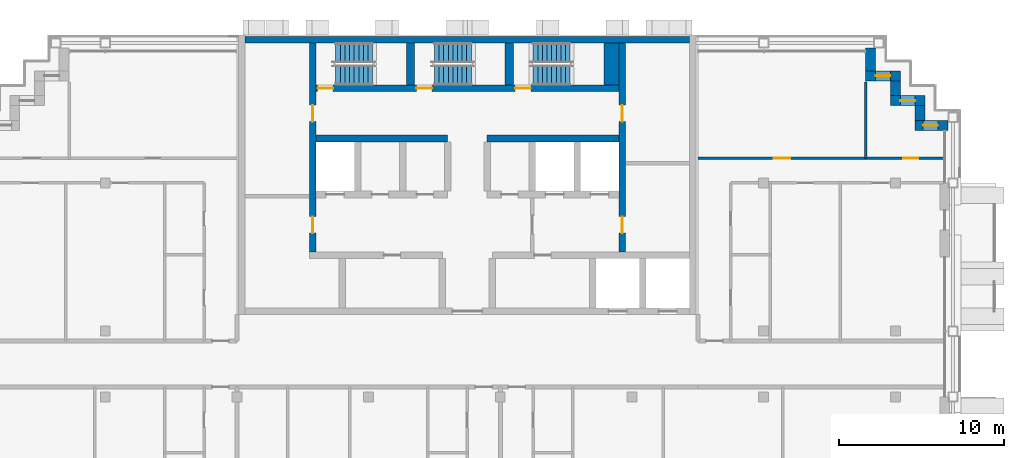
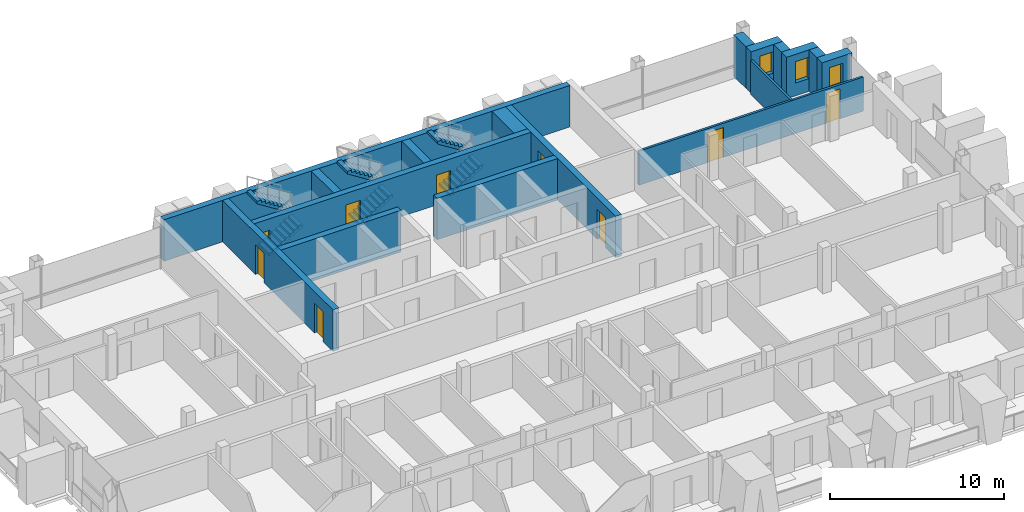
# One storey, part 11 of 15: 17 walls, 9 doors, 6 stair flights, 3 windows, 12 openings, 3 elements without a shape of their own.
"""IFC4 building model written with IfcOpenShell, lengths in metres."""

import ifcopenshell
import ifcopenshell.guid

model = None  # the IFC model being written
_history = None  # IfcOwnerHistory: only IFC2X3 demands one
_inside = {}  # id of a spatial element -> (the spatial element, [elements in it])
_under = {}  # id of a project, library or spatial element -> (it, [spatial elements below it])
_declared = {}  # id of a project -> (the project, [libraries it declares])
_typed = {}  # id of a type object -> (the type object, [elements of that type])
_made_of = {}  # id of a material, layer set ... -> (it, [elements and type objects made of it])


def new_model(schema):
    """Start an empty IFC model of exactly this schema.

    Asked for "IFC4X3", IfcOpenShell would pick the latest addendum, in which some entities
    have other attributes; the version numbers below select the first issue.
    IFC2X3 requires an IfcOwnerHistory on every rooted entity: one is made here for all.
    """
    global model, _history
    if schema == "IFC4X3":
        model = ifcopenshell.file(schema_version=(4, 3, 0, 0))
    else:
        model = ifcopenshell.file(schema=schema)
    _inside.clear()
    _under.clear()
    _declared.clear()
    _typed.clear()
    _made_of.clear()
    _history = None
    if model.schema == "IFC2X3":
        org = make("IfcOrganization", Name="unknown")
        user = make(
            "IfcPersonAndOrganization",
            ThePerson=make("IfcPerson", FamilyName="unknown"),
            TheOrganization=org,
        )
        app = make(
            "IfcApplication",
            ApplicationDeveloper=org,
            Version="unknown",
            ApplicationFullName="unknown",
            ApplicationIdentifier="unknown",
        )
        _history = make(
            "IfcOwnerHistory",
            OwningUser=user,
            OwningApplication=app,
            ChangeAction="ADDED",
            CreationDate=0,
        )
    return model


def make(cls, **values):
    """One entity of the class cls with the attributes given. An attribute that is None is left unset."""
    return model.create_entity(
        cls, **{name: value for name, value in values.items() if value is not None}
    )


def rooted(cls, **values):
    """An entity with a GlobalId (a new one), such as an element, a storey or a relation."""
    return make(cls, GlobalId=ifcopenshell.guid.new(), OwnerHistory=_history, **values)


def si_unit(unit_type, name, prefix=None):
    """IfcSIUnit, for example si_unit("LENGTHUNIT", "METRE", prefix="MILLI")."""
    return make("IfcSIUnit", UnitType=unit_type, Prefix=prefix, Name=name)


def assignment(units):
    """IfcUnitAssignment: the units of a project."""
    return None if units is None else make("IfcUnitAssignment", Units=units)


def point(xyz):
    """IfcCartesianPoint."""
    return None if xyz is None else make("IfcCartesianPoint", Coordinates=xyz)


def direction(xyz):
    """IfcDirection."""
    return None if xyz is None else make("IfcDirection", DirectionRatios=xyz)


def frame(location, z_axis=None, x_axis=None):
    """IfcAxis2Placement3D, a coordinate frame: its origin and axes. An axis left out is left unset."""
    return make(
        "IfcAxis2Placement3D",
        Location=point(location),
        Axis=direction(z_axis),
        RefDirection=direction(x_axis),
    )


def frame_2d(location, x_axis=None):
    """IfcAxis2Placement2D, a coordinate frame in the plane: its origin and x axis."""
    return make(
        "IfcAxis2Placement2D", Location=point(location), RefDirection=direction(x_axis)
    )


def origin():
    """The frame at (0, 0, 0) with its axes left unset."""
    return frame((0.0, 0.0, 0.0))


def place(relative_to, where):
    """IfcLocalPlacement: puts the frame where relative to a parent placement (None: the world)."""
    return make(
        "IfcLocalPlacement", PlacementRelTo=relative_to, RelativePlacement=where
    )


def context(
    kind, dimensions, precision=None, world=None, true_north=None, identifier=None
):
    """IfcGeometricRepresentationContext, for example the 3D "Model" context."""
    return make(
        "IfcGeometricRepresentationContext",
        ContextIdentifier=identifier,
        ContextType=kind,
        CoordinateSpaceDimension=dimensions,
        Precision=precision,
        WorldCoordinateSystem=world,
        TrueNorth=true_north,
    )


def subcontext(parent, identifier, kind, view, scale=None):
    """IfcGeometricRepresentationSubContext, for example "Body" below "Model"."""
    return make(
        "IfcGeometricRepresentationSubContext",
        ContextIdentifier=identifier,
        ContextType=kind,
        ParentContext=parent,
        TargetScale=scale,
        TargetView=view,
    )


def project(units=None, contexts=None):
    """IfcProject with its units and contexts."""
    return rooted(
        "IfcProject",
        Name="project",
        RepresentationContexts=contexts,
        UnitsInContext=assignment(units),
    )


def spatial(cls, under=None, at=None, **own):
    """A site, building, storey or space (cls), placed at a placement, below another one or the project."""
    s = rooted(cls, ObjectPlacement=at, **own)
    if under is not None:
        _under.setdefault(under.id(), (under, []))[1].append(s)
    return s


def polyline(points):
    """IfcPolyline through the points."""
    return make("IfcPolyline", Points=[point(p) for p in points])


def profile(cls, at=None, kind="AREA", **sizes):
    """A parametric profile (cls). Its sizes go by their IFC names, for example OverallWidth=200.0."""
    return make(cls, ProfileType=kind, Position=at, **sizes)


def rectangle(**sizes):
    """IfcRectangleProfileDef."""
    return profile("IfcRectangleProfileDef", **sizes)


def outline(outer, holes=None, kind="AREA"):
    """IfcArbitraryClosedProfileDef: a profile drawn as a closed curve; with holes, ...WithVoids."""
    if holes is None:
        return make("IfcArbitraryClosedProfileDef", ProfileType=kind, OuterCurve=outer)
    return make(
        "IfcArbitraryProfileDefWithVoids",
        ProfileType=kind,
        OuterCurve=outer,
        InnerCurves=holes,
    )


def extrude(swept, where, along, depth):
    """IfcExtrudedAreaSolid: the profile swept, set in the frame where, extruded along a direction by depth."""
    return make(
        "IfcExtrudedAreaSolid",
        SweptArea=swept,
        Position=where,
        ExtrudedDirection=direction(along),
        Depth=depth,
    )


def shape(context_of_items, identifier, shape_type, items):
    """IfcShapeRepresentation: the items that make up one representation, for example the "Body"."""
    return make(
        "IfcShapeRepresentation",
        ContextOfItems=context_of_items,
        RepresentationIdentifier=identifier,
        RepresentationType=shape_type,
        Items=items,
    )


def material(Name=None, Category=None):
    """IfcMaterial."""
    return make("IfcMaterial", Name=Name, Category=Category)


def layer(
    of_material, thickness, ventilated=None, Name=None, Category=None, Priority=None
):
    """IfcMaterialLayer: one layer of a wall or slab, of a material (None: an air gap)."""
    return make(
        "IfcMaterialLayer",
        Material=of_material,
        LayerThickness=thickness,
        IsVentilated=ventilated,
        Name=Name,
        Category=Category,
        Priority=Priority,
    )


def layer_set(layers, Name=None):
    """IfcMaterialLayerSet."""
    return make("IfcMaterialLayerSet", MaterialLayers=layers, LayerSetName=Name)


def made_of(thing, what):
    """Note that an element or type object is made of a material, layer set ...; save() writes the relation."""
    if what is not None:
        _made_of.setdefault(what.id(), (what, []))[1].append(thing)
    return thing


def type_object(cls, material=None, **own):
    """A type object (cls), such as IfcWallType, which elements share."""
    return made_of(rooted(cls, **own), material)


def element(
    cls,
    number,
    at=None,
    inside=None,
    cuts=None,
    type_object=None,
    material=None,
    context=None,
    identifier="Body",
    shape_type=None,
    held_by="IfcProductDefinitionShape",
    body=None,
    shapes=None,
    **own,
):
    """One element of the class cls, such as IfcWall. Its Tag is "e" and its number.

    at: its placement. inside: the storey or other place that contains it. cuts: it is an
    opening in that element (IfcRelVoidsElement). A single representation is given by context,
    identifier, shape_type and body (its items); several are given by shapes. held_by: the class
    of the entity that holds the representations. save() writes the other relations.
    """
    e = rooted(cls, Tag="e%d" % number, ObjectPlacement=at, **own)
    if body is not None:
        shapes = [shape(context, identifier, shape_type, body)]
    if shapes is not None:
        e.Representation = make(held_by, Representations=shapes)
    if inside is not None:
        _inside.setdefault(inside.id(), (inside, []))[1].append(e)
    if cuts is not None:
        rooted(
            "IfcRelVoidsElement", RelatingBuildingElement=cuts, RelatedOpeningElement=e
        )
    if type_object is not None:
        _typed.setdefault(type_object.id(), (type_object, []))[1].append(e)
    return made_of(e, material)


def fill(opening, filler):
    """IfcRelFillsElement: the door or window that sits in an opening."""
    return rooted(
        "IfcRelFillsElement",
        RelatingOpeningElement=opening,
        RelatedBuildingElement=filler,
    )


def aggregate(whole, parts):
    """IfcRelAggregates: a whole, such as a stair, and the parts it consists of."""
    return rooted("IfcRelAggregates", RelatingObject=whole, RelatedObjects=parts)


def save(model, path):
    """Write the relations noted so far, then the file.

    IfcRelAggregates (storeys below a building ...), IfcRelContainedInSpatialStructure (elements
    in a storey), IfcRelDefinesByType, IfcRelAssociatesMaterial and IfcRelDeclares: one each for
    every whole, place, type object, material and project.
    """
    for whole, parts in _under.values():
        aggregate(whole, parts)
    for where, things in _inside.values():
        rooted(
            "IfcRelContainedInSpatialStructure",
            RelatedElements=things,
            RelatingStructure=where,
        )
    for kind, things in _typed.values():
        rooted("IfcRelDefinesByType", RelatedObjects=things, RelatingType=kind)
    for what, things in _made_of.values():
        rooted("IfcRelAssociatesMaterial", RelatedObjects=things, RelatingMaterial=what)
    for by, libraries in _declared.values():
        rooted("IfcRelDeclares", RelatingContext=by, RelatedDefinitions=libraries)
    model.write(path)


model = new_model("IFC4")

# Units and contexts
model_context = context("Model", 3, precision=1e-05, world=origin(), true_north=direction((0.0, 1.0)))
body_context = subcontext(model_context, "Body", "Model", "MODEL_VIEW")
ifc_project = project(units=[si_unit("LENGTHUNIT", "METRE"), si_unit("AREAUNIT", "SQUARE_METRE"), si_unit("VOLUMEUNIT", "CUBIC_METRE"), si_unit("PLANEANGLEUNIT", "RADIAN"), si_unit("MASSUNIT", "GRAM", prefix="KILO")], contexts=[model_context])

# Site, building, storey
site_placement = place(None, origin())
site = spatial("IfcSite", under=ifc_project, at=site_placement, CompositionType="ELEMENT")
building_placement = place(site_placement, origin())
building = spatial("IfcBuilding", under=site, at=building_placement, Name="Vidyagriha Tower", CompositionType="ELEMENT")
storey_placement = place(building_placement, frame((0.0, 0.0, 233.199951171875)))
storey = spatial("IfcBuildingStorey", under=building, at=storey_placement, Name="L61", CompositionType="ELEMENT", Elevation=233.199951171875)

# Wall, opening, window
ifc_material_1 = material(Name="Precast concrete C40/50 with brick facing", Category="concrete")
ifc_layer_1 = layer(ifc_material_1, 0.60009765625)
ifc_layer_set_1 = layer_set([ifc_layer_1], Name="Precast concrete C40/50 with brick facing")
wall_type_1 = type_object("IfcWallType", Name="Brick-faced precast wall 600", PredefinedType="STANDARD", material=ifc_layer_set_1)
wall_1_placement = place(storey_placement, frame((29.199951171875, 14.5, 0.0), z_axis=(0.0, 0.0, 1.0), x_axis=(-1.0, 0.0, 0.0)))
wall_1 = element("IfcWall", 1, at=wall_1_placement, inside=storey, type_object=wall_type_1, Name="Stepped corner wall L61 R01", PredefinedType="STANDARD", context=body_context, shape_type="SweptSolid", body=[
    extrude(rectangle(XDim=2.0, YDim=0.60009765625, at=frame_2d((1.0, 0.0))), origin(), (0.0, 0.0, 1.0), 2.920166015625),
])
opening_1_placement = place(wall_1_placement, frame((0.610107421875, 0.0, 0.89990234375)))
opening_1 = element("IfcOpeningElement", 2, at=opening_1_placement, cuts=wall_1, Name="Opening WN1", PredefinedType="OPENING", context=body_context, shape_type="SweptSolid", body=[
    extrude(rectangle(XDim=0.89990234375, YDim=1.5, at=frame_2d((0.449951171875, 0.75))), frame((0.0, 0.31005859375, 0.0), z_axis=(0.0, -1.0, 0.0), x_axis=(1.0, 0.0, 0.0)), (0.0, 0.0, 1.0), 0.6201171875),
])
ifc_material_2 = material(Name="Aluminium and glass window", Category="aluminium")
window_type = type_object("IfcWindowType", Name="Reveal window 900x1500", PartitioningType="NOTDEFINED", PredefinedType="WINDOW", material=ifc_material_2)
window_1_placement = place(opening_1_placement, origin())
window_1 = element("IfcWindow", 3, at=window_1_placement, inside=storey, type_object=window_type, Name="Reveal window L61 R01", OverallHeight=1.5, OverallWidth=0.89990234375, PartitioningType="SINGLE_PANEL", PredefinedType="WINDOW", context=body_context, shape_type="SweptSolid", body=[
    extrude(rectangle(XDim=0.89990234375, YDim=1.5, at=frame_2d((0.449951171875, 0.75))), frame((0.0, 0.030029296875, 0.0), z_axis=(0.0, -1.0, 0.0), x_axis=(1.0, 0.0, 0.0)), (0.0, 0.0, 1.0), 0.06005859375),
])
fill(opening_1, window_1)

# Wall
wall_2_placement = place(storey_placement, frame((27.5, 14.800048828125, 0.0), z_axis=(0.0, 0.0, 1.0), x_axis=(0.0, 1.0, 0.0)))
element("IfcWall", 4, at=wall_2_placement, inside=storey, type_object=wall_type_1, Name="Stepped corner wall L61 R02", PredefinedType="STANDARD", context=body_context, shape_type="SweptSolid", body=[
    extrude(rectangle(XDim=0.89990234375, YDim=0.60009765625, at=frame_2d((0.449951171875, 0.0))), origin(), (0.0, 0.0, 1.0), 2.920166015625),
])

# Wall, opening, window
wall_3_placement = place(storey_placement, frame((27.800048828125, 16.0, 0.0), z_axis=(0.0, 0.0, 1.0), x_axis=(-1.0, 0.0, 0.0)))
wall_3 = element("IfcWall", 5, at=wall_3_placement, inside=storey, type_object=wall_type_1, Name="Stepped corner wall L61 R03", PredefinedType="STANDARD", context=body_context, shape_type="SweptSolid", body=[
    extrude(rectangle(XDim=2.10009765625, YDim=0.60009765625, at=frame_2d((1.050048828125, 0.0))), origin(), (0.0, 0.0, 1.0), 2.920166015625),
])
opening_2_placement = place(wall_3_placement, frame((0.60009765625, 0.0, 0.89990234375)))
opening_2 = element("IfcOpeningElement", 6, at=opening_2_placement, cuts=wall_3, Name="Opening WN1", PredefinedType="OPENING", context=body_context, shape_type="SweptSolid", body=[
    extrude(rectangle(XDim=0.89990234375, YDim=1.5, at=frame_2d((0.449951171875, 0.75))), frame((0.0, 0.31005859375, 0.0), z_axis=(0.0, -1.0, 0.0), x_axis=(1.0, 0.0, 0.0)), (0.0, 0.0, 1.0), 0.6201171875),
])
window_2_placement = place(opening_2_placement, origin())
window_2 = element("IfcWindow", 7, at=window_2_placement, inside=storey, type_object=window_type, Name="Reveal window L61 R03", OverallHeight=1.5, OverallWidth=0.89990234375, PartitioningType="SINGLE_PANEL", PredefinedType="WINDOW", context=body_context, shape_type="SweptSolid", body=[
    extrude(rectangle(XDim=0.89990234375, YDim=1.5, at=frame_2d((0.449951171875, 0.75))), frame((0.0, 0.030029296875, 0.0), z_axis=(0.0, -1.0, 0.0), x_axis=(1.0, 0.0, 0.0)), (0.0, 0.0, 1.0), 0.06005859375),
])
fill(opening_2, window_2)

# Wall
wall_4_placement = place(storey_placement, frame((26.0, 16.300048828125, 0.0), z_axis=(0.0, 0.0, 1.0), x_axis=(0.0, 1.0, 0.0)))
element("IfcWall", 8, at=wall_4_placement, inside=storey, type_object=wall_type_1, Name="Stepped corner wall L61 R04", PredefinedType="STANDARD", context=body_context, shape_type="SweptSolid", body=[
    extrude(rectangle(XDim=0.89990234375, YDim=0.60009765625, at=frame_2d((0.449951171875, 0.0))), origin(), (0.0, 0.0, 1.0), 2.920166015625),
])

# Wall, opening, window
wall_5_placement = place(storey_placement, frame((26.300048828125, 17.5, 0.0), z_axis=(0.0, 0.0, 1.0), x_axis=(-1.0, 0.0, 0.0)))
wall_5 = element("IfcWall", 9, at=wall_5_placement, inside=storey, type_object=wall_type_1, Name="Stepped corner wall L61 R05", PredefinedType="STANDARD", context=body_context, shape_type="SweptSolid", body=[
    extrude(rectangle(XDim=2.10009765625, YDim=0.60009765625, at=frame_2d((1.050048828125, 0.0))), origin(), (0.0, 0.0, 1.0), 2.920166015625),
])
opening_3_placement = place(wall_5_placement, frame((0.60009765625, 0.0, 0.89990234375)))
opening_3 = element("IfcOpeningElement", 10, at=opening_3_placement, cuts=wall_5, Name="Opening WN1", PredefinedType="OPENING", context=body_context, shape_type="SweptSolid", body=[
    extrude(rectangle(XDim=0.89990234375, YDim=1.5, at=frame_2d((0.449951171875, 0.75))), frame((0.0, 0.31005859375, 0.0), z_axis=(0.0, -1.0, 0.0), x_axis=(1.0, 0.0, 0.0)), (0.0, 0.0, 1.0), 0.6201171875),
])
window_3_placement = place(opening_3_placement, origin())
window_3 = element("IfcWindow", 11, at=window_3_placement, inside=storey, type_object=window_type, Name="Reveal window L61 R05", OverallHeight=1.5, OverallWidth=0.89990234375, PartitioningType="SINGLE_PANEL", PredefinedType="WINDOW", context=body_context, shape_type="SweptSolid", body=[
    extrude(rectangle(XDim=0.89990234375, YDim=1.5, at=frame_2d((0.449951171875, 0.75))), frame((0.0, 0.030029296875, 0.0), z_axis=(0.0, -1.0, 0.0), x_axis=(1.0, 0.0, 0.0)), (0.0, 0.0, 1.0), 0.06005859375),
])
fill(opening_3, window_3)

# Walls
wall_6_placement = place(storey_placement, frame((24.5, 17.800048828125, 0.0), z_axis=(0.0, 0.0, 1.0), x_axis=(0.0, 1.0, 0.0)))
element("IfcWall", 12, at=wall_6_placement, inside=storey, type_object=wall_type_1, Name="Stepped corner wall L61 R06", PredefinedType="STANDARD", context=body_context, shape_type="SweptSolid", body=[
    extrude(rectangle(XDim=1.39990234375, YDim=0.60009765625, at=frame_2d((0.699951171875, 0.0))), origin(), (0.0, 0.0, 1.0), 2.920166015625),
])
ifc_material_3 = material(Name="Concrete C60/75", Category="concrete")
ifc_layer_2 = layer(ifc_material_3, 0.39990234375)
ifc_layer_set_2 = layer_set([ifc_layer_2], Name="Concrete C60/75")
wall_type_2 = type_object("IfcWallType", Name="Core shear wall 400 mm", PredefinedType="SHEAR", material=ifc_layer_set_2)
wall_7_placement = place(storey_placement, frame((-13.5, 19.699951171875, 0.0)))
element("IfcWall", 13, at=wall_7_placement, inside=storey, type_object=wall_type_2, Name="Core north wall", PredefinedType="SHEAR", context=body_context, shape_type="SweptSolid", body=[
    extrude(rectangle(XDim=27.0, YDim=0.39990234375, at=frame_2d((13.5, 0.0))), origin(), (0.0, 0.0, 1.0), 2.920166015625),
])

# Wall, openings, doors
wall_8_placement = place(storey_placement, frame((-9.39990234375, 6.800048828125, 0.0), z_axis=(0.0, 0.0, 1.0), x_axis=(0.0, 1.0, 0.0)))
wall_8 = element("IfcWall", 14, at=wall_8_placement, inside=storey, type_object=wall_type_2, Name="Core west spine wall", PredefinedType="SHEAR", context=body_context, shape_type="SweptSolid", body=[
    extrude(rectangle(XDim=12.699951171875, YDim=0.39990234375, at=frame_2d((6.35009765625, 0.0))), origin(), (0.0, 0.0, 1.0), 2.920166015625),
])
opening_4_placement = place(wall_8_placement, frame((1.14990234375, 0.0, 0.0)))
opening_4 = element("IfcOpeningElement", 15, at=opening_4_placement, cuts=wall_8, Name="Opening D61-11", PredefinedType="OPENING", context=body_context, shape_type="SweptSolid", body=[
    extrude(rectangle(XDim=1.0, YDim=2.10009765625, at=frame_2d((0.5, 1.050048828125))), frame((0.0, 0.2099609375, 0.0), z_axis=(0.0, -1.0, 0.0), x_axis=(1.0, 0.0, 0.0)), (0.0, 0.0, 1.0), 0.419921875),
])
opening_5_placement = place(wall_8_placement, frame((7.925048828125, 0.0, 0.0)))
opening_5 = element("IfcOpeningElement", 16, at=opening_5_placement, cuts=wall_8, Name="Opening D61-12", PredefinedType="OPENING", context=body_context, shape_type="SweptSolid", body=[
    extrude(rectangle(XDim=1.0, YDim=2.10009765625, at=frame_2d((0.5, 1.050048828125))), frame((0.0, 0.2099609375, 0.0), z_axis=(0.0, -1.0, 0.0), x_axis=(1.0, 0.0, 0.0)), (0.0, 0.0, 1.0), 0.419921875),
])
ifc_material_4 = material(Name="Hollow metal door leaf")
door_type_1 = type_object("IfcDoorType", Name="Core room door 1000 x 2100 mm EI 60", OperationType="NOTDEFINED", PredefinedType="DOOR", material=ifc_material_4)
door_1_placement = place(opening_4_placement, frame((1.0, 0.0, 0.0), z_axis=(0.0, 0.0, 1.0), x_axis=(-1.0, 0.0, 0.0)))
door_1 = element("IfcDoor", 17, at=door_1_placement, inside=storey, type_object=door_type_1, Name="Door Electrical Room 61.W1", OperationType="SINGLE_SWING_RIGHT", OverallHeight=2.10009765625, OverallWidth=1.0, PredefinedType="DOOR", context=body_context, shape_type="SweptSolid", body=[
    extrude(rectangle(XDim=1.0, YDim=2.10009765625, at=frame_2d((0.5, 1.050048828125))), frame((0.0, 0.02490234375, 0.0), z_axis=(0.0, -1.0, 0.0), x_axis=(1.0, 0.0, 0.0)), (0.0, 0.0, 1.0), 0.050048828125),
])
fill(opening_4, door_1)
door_2_placement = place(opening_5_placement, frame((1.0, 0.0, 0.0), z_axis=(0.0, 0.0, 1.0), x_axis=(-1.0, 0.0, 0.0)))
door_2 = element("IfcDoor", 18, at=door_2_placement, inside=storey, type_object=door_type_1, Name="Door Refuse Room 61.W2", OperationType="SINGLE_SWING_LEFT", OverallHeight=2.10009765625, OverallWidth=1.0, PredefinedType="DOOR", context=body_context, shape_type="SweptSolid", body=[
    extrude(rectangle(XDim=1.0, YDim=2.10009765625, at=frame_2d((0.5, 1.050048828125))), frame((0.0, 0.02490234375, 0.0), z_axis=(0.0, -1.0, 0.0), x_axis=(1.0, 0.0, 0.0)), (0.0, 0.0, 1.0), 0.050048828125),
])
fill(opening_5, door_2)

wall_9_placement = place(storey_placement, frame((9.39990234375, 6.800048828125, 0.0), z_axis=(0.0, 0.0, 1.0), x_axis=(0.0, 1.0, 0.0)))
wall_9 = element("IfcWall", 19, at=wall_9_placement, inside=storey, type_object=wall_type_2, Name="Core east spine wall", PredefinedType="SHEAR", context=body_context, shape_type="SweptSolid", body=[
    extrude(rectangle(XDim=12.699951171875, YDim=0.39990234375, at=frame_2d((6.35009765625, 0.0))), origin(), (0.0, 0.0, 1.0), 2.920166015625),
])
opening_6_placement = place(wall_9_placement, frame((1.14990234375, 0.0, 0.0)))
opening_6 = element("IfcOpeningElement", 20, at=opening_6_placement, cuts=wall_9, Name="Opening D61-13", PredefinedType="OPENING", context=body_context, shape_type="SweptSolid", body=[
    extrude(rectangle(XDim=1.0, YDim=2.10009765625, at=frame_2d((0.5, 1.050048828125))), frame((0.0, 0.2099609375, 0.0), z_axis=(0.0, -1.0, 0.0), x_axis=(1.0, 0.0, 0.0)), (0.0, 0.0, 1.0), 0.419921875),
])
opening_7_placement = place(wall_9_placement, frame((7.925048828125, 0.0, 0.0)))
opening_7 = element("IfcOpeningElement", 21, at=opening_7_placement, cuts=wall_9, Name="Opening D61-14", PredefinedType="OPENING", context=body_context, shape_type="SweptSolid", body=[
    extrude(rectangle(XDim=1.0, YDim=2.10009765625, at=frame_2d((0.5, 1.050048828125))), frame((0.0, 0.2099609375, 0.0), z_axis=(0.0, -1.0, 0.0), x_axis=(1.0, 0.0, 0.0)), (0.0, 0.0, 1.0), 0.419921875),
])
door_3_placement = place(opening_6_placement, origin())
door_3 = element("IfcDoor", 22, at=door_3_placement, inside=storey, type_object=door_type_1, Name="Door Cleaners Store 61.E1", OperationType="SINGLE_SWING_RIGHT", OverallHeight=2.10009765625, OverallWidth=1.0, PredefinedType="DOOR", context=body_context, shape_type="SweptSolid", body=[
    extrude(rectangle(XDim=1.0, YDim=2.10009765625, at=frame_2d((0.5, 1.050048828125))), frame((0.0, 0.02490234375, 0.0), z_axis=(0.0, -1.0, 0.0), x_axis=(1.0, 0.0, 0.0)), (0.0, 0.0, 1.0), 0.050048828125),
])
fill(opening_6, door_3)
door_4_placement = place(opening_7_placement, origin())
door_4 = element("IfcDoor", 23, at=door_4_placement, inside=storey, type_object=door_type_1, Name="Door Pressurisation Plant Room 61.E2", OperationType="SINGLE_SWING_LEFT", OverallHeight=2.10009765625, OverallWidth=1.0, PredefinedType="DOOR", context=body_context, shape_type="SweptSolid", body=[
    extrude(rectangle(XDim=1.0, YDim=2.10009765625, at=frame_2d((0.5, 1.050048828125))), frame((0.0, 0.02490234375, 0.0), z_axis=(0.0, -1.0, 0.0), x_axis=(1.0, 0.0, 0.0)), (0.0, 0.0, 1.0), 0.050048828125),
])
fill(opening_7, door_4)

# Walls
for number, where, name in (
    (24, (-9.199951171875, 13.699951171875, 0.0), "Core row N rear wall"),
    (25, (1.199951171875, 13.699951171875, 0.0), "Core row N rear wall"),
):
    element("IfcWall", number, at=place(storey_placement, frame(where)), inside=storey, type_object=wall_type_2, Name=name, PredefinedType="SHEAR", context=body_context, shape_type="SweptSolid", body=[
        extrude(rectangle(XDim=8.0, YDim=0.39990234375, at=frame_2d((4.0, 0.0))), origin(), (0.0, 0.0, 1.0), 2.920166015625),
    ])

# Wall, openings, doors
wall_10_placement = place(storey_placement, frame((-9.199951171875, 16.75, 0.0)))
wall_10 = element("IfcWall", 26, at=wall_10_placement, inside=storey, type_object=wall_type_2, Name="Stair front wall", PredefinedType="SHEAR", context=body_context, shape_type="SweptSolid", body=[
    extrude(rectangle(XDim=18.39990234375, YDim=0.39990234375, at=frame_2d((9.199951171875, 0.0))), origin(), (0.0, 0.0, 1.0), 2.920166015625),
])
opening_8_placement = place(wall_10_placement, frame((0.10009765625, 0.0, 0.0)))
opening_8 = element("IfcOpeningElement", 27, at=opening_8_placement, cuts=wall_10, Name="Opening D61-08", PredefinedType="OPENING", context=body_context, shape_type="SweptSolid", body=[
    extrude(rectangle(XDim=0.949951171875, YDim=2.10009765625, at=frame_2d((0.47509765625, 1.050048828125))), frame((0.0, 0.2099609375, 0.0), z_axis=(0.0, -1.0, 0.0), x_axis=(1.0, 0.0, 0.0)), (0.0, 0.0, 1.0), 0.419921875),
])
opening_9_placement = place(wall_10_placement, frame((6.10009765625, 0.0, 0.0)))
opening_9 = element("IfcOpeningElement", 28, at=opening_9_placement, cuts=wall_10, Name="Opening D61-09", PredefinedType="OPENING", context=body_context, shape_type="SweptSolid", body=[
    extrude(rectangle(XDim=0.949951171875, YDim=2.10009765625, at=frame_2d((0.47509765625, 1.050048828125))), frame((0.0, 0.2099609375, 0.0), z_axis=(0.0, -1.0, 0.0), x_axis=(1.0, 0.0, 0.0)), (0.0, 0.0, 1.0), 0.419921875),
])
opening_10_placement = place(wall_10_placement, frame((12.10009765625, 0.0, 0.0)))
opening_10 = element("IfcOpeningElement", 29, at=opening_10_placement, cuts=wall_10, Name="Opening D61-10", PredefinedType="OPENING", context=body_context, shape_type="SweptSolid", body=[
    extrude(rectangle(XDim=0.949951171875, YDim=2.10009765625, at=frame_2d((0.47509765625, 1.050048828125))), frame((0.0, 0.2099609375, 0.0), z_axis=(0.0, -1.0, 0.0), x_axis=(1.0, 0.0, 0.0)), (0.0, 0.0, 1.0), 0.419921875),
])
ifc_material_5 = material(Name="Hollow metal door leaf")
door_type_2 = type_object("IfcDoorType", Name="Exit stair door 950 x 2100 mm EI 90", OperationType="NOTDEFINED", PredefinedType="DOOR", material=ifc_material_5)
door_5_placement = place(opening_8_placement, origin())
door_5 = element("IfcDoor", 30, at=door_5_placement, inside=storey, type_object=door_type_2, Name="Stair door ST1 L61", OperationType="SINGLE_SWING_LEFT", OverallHeight=2.10009765625, OverallWidth=0.949951171875, PredefinedType="DOOR", context=body_context, shape_type="SweptSolid", body=[
    extrude(rectangle(XDim=0.949951171875, YDim=2.10009765625, at=frame_2d((0.47509765625, 1.050048828125))), frame((0.0, 0.02490234375, 0.0), z_axis=(0.0, -1.0, 0.0), x_axis=(1.0, 0.0, 0.0)), (0.0, 0.0, 1.0), 0.050048828125),
])
fill(opening_8, door_5)
door_6_placement = place(opening_9_placement, origin())
door_6 = element("IfcDoor", 31, at=door_6_placement, inside=storey, type_object=door_type_2, Name="Stair door ST2 L61", OperationType="SINGLE_SWING_LEFT", OverallHeight=2.10009765625, OverallWidth=0.949951171875, PredefinedType="DOOR", context=body_context, shape_type="SweptSolid", body=[
    extrude(rectangle(XDim=0.949951171875, YDim=2.10009765625, at=frame_2d((0.47509765625, 1.050048828125))), frame((0.0, 0.02490234375, 0.0), z_axis=(0.0, -1.0, 0.0), x_axis=(1.0, 0.0, 0.0)), (0.0, 0.0, 1.0), 0.050048828125),
])
fill(opening_9, door_6)
door_7_placement = place(opening_10_placement, origin())
door_7 = element("IfcDoor", 32, at=door_7_placement, inside=storey, type_object=door_type_2, Name="Stair door ST3 L61", OperationType="SINGLE_SWING_LEFT", OverallHeight=2.10009765625, OverallWidth=0.949951171875, PredefinedType="DOOR", context=body_context, shape_type="SweptSolid", body=[
    extrude(rectangle(XDim=0.949951171875, YDim=2.10009765625, at=frame_2d((0.47509765625, 1.050048828125))), frame((0.0, 0.02490234375, 0.0), z_axis=(0.0, -1.0, 0.0), x_axis=(1.0, 0.0, 0.0)), (0.0, 0.0, 1.0), 0.050048828125),
])
fill(opening_10, door_7)

# Walls
ifc_material_6 = material(Name="Concrete C60/75", Category="concrete")
ifc_layer_3 = layer(ifc_material_6, 0.5)
ifc_layer_set_3 = layer_set([ifc_layer_3], Name="Concrete C60/75")
wall_type_3 = type_object("IfcWallType", Name="Core shear wall 500 mm", PredefinedType="SHEAR", material=ifc_layer_set_3)
for number, where, z_axis, x_axis, name in (
    (33, (-3.449951171875, 16.949951171875, 0.0), (0.0, 0.0, 1.0), (0.0, 1.0, 0.0), "Stair partition wall 1"),
    (34, (2.550048828125, 16.949951171875, 0.0), (0.0, 0.0, 1.0), (0.0, 1.0, 0.0), "Stair partition wall 2"),
):
    element("IfcWall", number, at=place(storey_placement, frame(where, z_axis=z_axis, x_axis=x_axis)), inside=storey, type_object=wall_type_3, Name=name, PredefinedType="SHEAR", context=body_context, shape_type="SweptSolid", body=[
        extrude(rectangle(XDim=2.550048828125, YDim=0.5, at=frame_2d((1.27490234375, 0.0))), origin(), (0.0, 0.0, 1.0), 2.920166015625),
    ])
ifc_material_7 = material(Name="Concrete C60/75", Category="concrete")
ifc_layer_4 = layer(ifc_material_7, 0.89990234375)
ifc_layer_set_4 = layer_set([ifc_layer_4], Name="Concrete C60/75")
wall_type_4 = type_object("IfcWallType", Name="Core shear wall 900 mm", PredefinedType="SHEAR", material=ifc_layer_set_4)
wall_11_placement = place(storey_placement, frame((8.75, 16.949951171875, 0.0), z_axis=(0.0, 0.0, 1.0), x_axis=(0.0, 1.0, 0.0)))
element("IfcWall", 35, at=wall_11_placement, inside=storey, type_object=wall_type_4, Name="Stair end wall", PredefinedType="SHEAR", context=body_context, shape_type="SweptSolid", body=[
    extrude(rectangle(XDim=2.550048828125, YDim=0.89990234375, at=frame_2d((1.27490234375, 0.0))), origin(), (0.0, 0.0, 1.0), 2.920166015625),
])

# Wall, openings, doors
ifc_material_8 = material(Name="Gypsum board partition")
ifc_layer_5 = layer(ifc_material_8, 0.14990234375)
ifc_layer_set_5 = layer_set([ifc_layer_5], Name="Gypsum board partition")
wall_type_5 = type_object("IfcWallType", Name="Gypsum board partition 150", PredefinedType="PARTITIONING", material=ifc_layer_set_5)
wall_12_placement = place(storey_placement, frame((14.0, 12.5, 0.0)))
wall_12 = element("IfcWall", 36, at=wall_12_placement, inside=storey, type_object=wall_type_5, Name="Wall all-L61-w085", PredefinedType="PARTITIONING", context=body_context, shape_type="SweptSolid", body=[
    extrude(rectangle(XDim=14.919921875, YDim=0.14990234375, at=frame_2d((7.4599609375, 0.0))), origin(), (0.0, 0.0, 1.0), 2.400146484375),
])
opening_11_placement = place(wall_12_placement, frame((4.60009765625, 0.0, 0.0)))
opening_11 = element("IfcOpeningElement", 37, at=opening_11_placement, cuts=wall_12, Name="Opening D61-54", PredefinedType="OPENING", context=body_context, shape_type="SweptSolid", body=[
    extrude(rectangle(XDim=1.0, YDim=2.10009765625, at=frame_2d((0.5, 1.050048828125))), frame((0.0, 0.0849609375, 0.0), z_axis=(0.0, -1.0, 0.0), x_axis=(1.0, 0.0, 0.0)), (0.0, 0.0, 1.0), 0.169921875),
])
opening_12_placement = place(wall_12_placement, frame((12.47607421875, 0.0, 0.0)))
opening_12 = element("IfcOpeningElement", 38, at=opening_12_placement, cuts=wall_12, Name="Opening D61-55", PredefinedType="OPENING", context=body_context, shape_type="SweptSolid", body=[
    extrude(rectangle(XDim=0.89990234375, YDim=2.10009765625, at=frame_2d((0.449951171875, 1.050048828125))), frame((0.0, 0.0849609375, 0.0), z_axis=(0.0, -1.0, 0.0), x_axis=(1.0, 0.0, 0.0)), (0.0, 0.0, 1.0), 0.169921875),
])
ifc_material_9 = material(Name="Timber door leaf", Category="wood")
door_type_3 = type_object("IfcDoorType", Name="Room door 1000x2100", OperationType="NOTDEFINED", PredefinedType="DOOR", material=ifc_material_9)
door_8_placement = place(opening_11_placement, origin())
door_8 = element("IfcDoor", 39, at=door_8_placement, inside=storey, type_object=door_type_3, Name="Door D61-54", OperationType="SINGLE_SWING_RIGHT", OverallHeight=2.10009765625, OverallWidth=1.0, PredefinedType="DOOR", context=body_context, shape_type="SweptSolid", body=[
    extrude(rectangle(XDim=1.0, YDim=2.10009765625, at=frame_2d((0.5, 1.050048828125))), frame((0.0, 0.02490234375, 0.0), z_axis=(0.0, -1.0, 0.0), x_axis=(1.0, 0.0, 0.0)), (0.0, 0.0, 1.0), 0.050048828125),
])
fill(opening_11, door_8)
ifc_material_10 = material(Name="Timber door leaf", Category="wood")
door_type_4 = type_object("IfcDoorType", Name="Room door 900x2100", OperationType="NOTDEFINED", PredefinedType="DOOR", material=ifc_material_10)
door_9_placement = place(opening_12_placement, origin())
door_9 = element("IfcDoor", 40, at=door_9_placement, inside=storey, type_object=door_type_4, Name="Door D61-55", OperationType="SINGLE_SWING_RIGHT", OverallHeight=2.10009765625, OverallWidth=0.89990234375, PredefinedType="DOOR", context=body_context, shape_type="SweptSolid", body=[
    extrude(rectangle(XDim=0.89990234375, YDim=2.10009765625, at=frame_2d((0.449951171875, 1.050048828125))), frame((0.0, 0.02490234375, 0.0), z_axis=(0.0, -1.0, 0.0), x_axis=(1.0, 0.0, 0.0)), (0.0, 0.0, 1.0), 0.050048828125),
])
fill(opening_12, door_9)

# Wall
wall_13_placement = place(storey_placement, frame((24.199951171875, 17.1201171875, 0.0), z_axis=(0.0, 0.0, 1.0), x_axis=(0.0, -1.0, 0.0)))
element("IfcWall", 41, at=wall_13_placement, inside=storey, type_object=wall_type_5, Name="Wall all-L61-w088", PredefinedType="PARTITIONING", context=body_context, shape_type="SweptSolid", body=[
    extrude(rectangle(XDim=4.6201171875, YDim=0.14990234375, at=frame_2d((2.31005859375, 0.0))), origin(), (0.0, 0.0, 1.0), 2.400146484375),
])

# Stair, stair flights
ifc_material_11 = material(Name="Concrete C40/50", Category="concrete")
stair_type = type_object("IfcStairType", Name="Exit stair, half-turn, precast flights", PredefinedType="HALF_TURN_STAIR", material=ifc_material_11)
stair_1_placement = place(storey_placement, origin())
stair_1 = element("IfcStair", 42, at=stair_1_placement, inside=storey, type_object=stair_type, Name="L61 Exit Stair ST1", PredefinedType="HALF_TURN_STAIR")
ifc_material_12 = material(Name="Precast concrete C40/50", Category="concrete")
stair_flight_type = type_object("IfcStairFlightType", Name="Exit stair flight 1200 mm, precast", PredefinedType="STRAIGHT", material=ifc_material_12)
stair_flight_1_placement = place(storey_placement, frame((-8.0, 17.550048828125, 0.0)))
stair_flight_1 = element("IfcStairFlight", 43, at=stair_flight_1_placement, type_object=stair_flight_type, Name="ST1 flight 1", NumberOfRisers=9, NumberOfTreads=8, PredefinedType="STRAIGHT", RiserHeight=0.177777778, TreadLength=0.28, context=body_context, shape_type="SweptSolid", body=[
    extrude(outline(polyline([(0.0, 0.0), (0.0, 0.177734375), (0.280029296875, 0.177734375), (0.280029296875, 0.35546875), (0.56005859375, 0.35546875), (0.56005859375, 0.533447265625), (0.840087890625, 0.533447265625), (0.840087890625, 0.711181640625), (1.1201171875, 0.711181640625), (1.1201171875, 0.888916015625), (1.39990234375, 0.888916015625), (1.39990234375, 1.066650390625), (1.679931640625, 1.066650390625), (1.679931640625, 1.244384765625), (1.9599609375, 1.244384765625), (1.9599609375, 1.422119140625), (2.239990234375, 1.422119140625), (2.239990234375, 1.60009765625), (2.239990234375, 1.24462890625), (0.27978515625, 0.0), (0.0, 0.0)])), frame((0.0, 0.60009765625, 0.0), z_axis=(0.0, -1.0, 0.0), x_axis=(1.0, 0.0, 0.0)), (0.0, 0.0, 1.0), 1.199951171875),
])
stair_flight_2_placement = place(storey_placement, frame((-5.760009765625, 18.89990234375, 1.60009765625), z_axis=(0.0, 0.0, 1.0), x_axis=(-1.0, 0.0, 0.0)))
stair_flight_2 = element("IfcStairFlight", 44, at=stair_flight_2_placement, type_object=stair_flight_type, Name="ST1 flight 2", NumberOfRisers=9, NumberOfTreads=8, PredefinedType="STRAIGHT", RiserHeight=0.177777778, TreadLength=0.28, context=body_context, shape_type="SweptSolid", body=[
    extrude(outline(polyline([(0.0, 0.0), (0.0, 0.177734375), (0.280029296875, 0.177734375), (0.280029296875, 0.35546875), (0.56005859375, 0.35546875), (0.56005859375, 0.533447265625), (0.840087890625, 0.533447265625), (0.840087890625, 0.711181640625), (1.1201171875, 0.711181640625), (1.1201171875, 0.888916015625), (1.39990234375, 0.888916015625), (1.39990234375, 1.066650390625), (1.679931640625, 1.066650390625), (1.679931640625, 1.244384765625), (1.9599609375, 1.244384765625), (1.9599609375, 1.422119140625), (2.239990234375, 1.422119140625), (2.239990234375, 1.60009765625), (2.239990234375, 1.24462890625), (0.27978515625, 0.0), (0.0, 0.0)])), frame((0.0, 0.60009765625, 0.0), z_axis=(0.0, -1.0, 0.0), x_axis=(1.0, 0.0, 0.0)), (0.0, 0.0, 1.0), 1.199951171875),
])
aggregate(stair_1, [stair_flight_1, stair_flight_2])

stair_2_placement = place(storey_placement, origin())
stair_2 = element("IfcStair", 45, at=stair_2_placement, inside=storey, type_object=stair_type, Name="L61 Exit Stair ST2", PredefinedType="HALF_TURN_STAIR")
stair_flight_3_placement = place(storey_placement, frame((-2.0, 17.550048828125, 0.0)))
stair_flight_3 = element("IfcStairFlight", 46, at=stair_flight_3_placement, type_object=stair_flight_type, Name="ST2 flight 1", NumberOfRisers=9, NumberOfTreads=8, PredefinedType="STRAIGHT", RiserHeight=0.177777778, TreadLength=0.28, context=body_context, shape_type="SweptSolid", body=[
    extrude(outline(polyline([(0.0, 0.0), (0.0, 0.177734375), (0.280029296875, 0.177734375), (0.280029296875, 0.35546875), (0.56005859375, 0.35546875), (0.56005859375, 0.533447265625), (0.840087890625, 0.533447265625), (0.840087890625, 0.711181640625), (1.1201171875, 0.711181640625), (1.1201171875, 0.888916015625), (1.39990234375, 0.888916015625), (1.39990234375, 1.066650390625), (1.679931640625, 1.066650390625), (1.679931640625, 1.244384765625), (1.9599609375, 1.244384765625), (1.9599609375, 1.422119140625), (2.239990234375, 1.422119140625), (2.239990234375, 1.60009765625), (2.239990234375, 1.24462890625), (0.27978515625, 0.0), (0.0, 0.0)])), frame((0.0, 0.60009765625, 0.0), z_axis=(0.0, -1.0, 0.0), x_axis=(1.0, 0.0, 0.0)), (0.0, 0.0, 1.0), 1.199951171875),
])
stair_flight_4_placement = place(storey_placement, frame((0.239990234375, 18.89990234375, 1.60009765625), z_axis=(0.0, 0.0, 1.0), x_axis=(-1.0, 0.0, 0.0)))
stair_flight_4 = element("IfcStairFlight", 47, at=stair_flight_4_placement, type_object=stair_flight_type, Name="ST2 flight 2", NumberOfRisers=9, NumberOfTreads=8, PredefinedType="STRAIGHT", RiserHeight=0.177777778, TreadLength=0.28, context=body_context, shape_type="SweptSolid", body=[
    extrude(outline(polyline([(0.0, 0.0), (0.0, 0.177734375), (0.280029296875, 0.177734375), (0.280029296875, 0.35546875), (0.56005859375, 0.35546875), (0.56005859375, 0.533447265625), (0.840087890625, 0.533447265625), (0.840087890625, 0.711181640625), (1.1201171875, 0.711181640625), (1.1201171875, 0.888916015625), (1.39990234375, 0.888916015625), (1.39990234375, 1.066650390625), (1.679931640625, 1.066650390625), (1.679931640625, 1.244384765625), (1.9599609375, 1.244384765625), (1.9599609375, 1.422119140625), (2.239990234375, 1.422119140625), (2.239990234375, 1.60009765625), (2.239990234375, 1.24462890625), (0.27978515625, 0.0), (0.0, 0.0)])), frame((0.0, 0.60009765625, 0.0), z_axis=(0.0, -1.0, 0.0), x_axis=(1.0, 0.0, 0.0)), (0.0, 0.0, 1.0), 1.199951171875),
])
aggregate(stair_2, [stair_flight_3, stair_flight_4])

stair_3_placement = place(storey_placement, origin())
stair_3 = element("IfcStair", 48, at=stair_3_placement, inside=storey, type_object=stair_type, Name="L61 Exit Stair ST3", PredefinedType="HALF_TURN_STAIR")
stair_flight_5_placement = place(storey_placement, frame((4.0, 17.550048828125, 0.0)))
stair_flight_5 = element("IfcStairFlight", 49, at=stair_flight_5_placement, type_object=stair_flight_type, Name="ST3 flight 1", NumberOfRisers=9, NumberOfTreads=8, PredefinedType="STRAIGHT", RiserHeight=0.177777778, TreadLength=0.28, context=body_context, shape_type="SweptSolid", body=[
    extrude(outline(polyline([(0.0, 0.0), (0.0, 0.177734375), (0.280029296875, 0.177734375), (0.280029296875, 0.35546875), (0.56005859375, 0.35546875), (0.56005859375, 0.533447265625), (0.840087890625, 0.533447265625), (0.840087890625, 0.711181640625), (1.1201171875, 0.711181640625), (1.1201171875, 0.888916015625), (1.39990234375, 0.888916015625), (1.39990234375, 1.066650390625), (1.679931640625, 1.066650390625), (1.679931640625, 1.244384765625), (1.9599609375, 1.244384765625), (1.9599609375, 1.422119140625), (2.239990234375, 1.422119140625), (2.239990234375, 1.60009765625), (2.239990234375, 1.24462890625), (0.27978515625, 0.0), (0.0, 0.0)])), frame((0.0, 0.60009765625, 0.0), z_axis=(0.0, -1.0, 0.0), x_axis=(1.0, 0.0, 0.0)), (0.0, 0.0, 1.0), 1.199951171875),
])
stair_flight_6_placement = place(storey_placement, frame((6.239990234375, 18.89990234375, 1.60009765625), z_axis=(0.0, 0.0, 1.0), x_axis=(-1.0, 0.0, 0.0)))
stair_flight_6 = element("IfcStairFlight", 50, at=stair_flight_6_placement, type_object=stair_flight_type, Name="ST3 flight 2", NumberOfRisers=9, NumberOfTreads=8, PredefinedType="STRAIGHT", RiserHeight=0.177777778, TreadLength=0.28, context=body_context, shape_type="SweptSolid", body=[
    extrude(outline(polyline([(0.0, 0.0), (0.0, 0.177734375), (0.280029296875, 0.177734375), (0.280029296875, 0.35546875), (0.56005859375, 0.35546875), (0.56005859375, 0.533447265625), (0.840087890625, 0.533447265625), (0.840087890625, 0.711181640625), (1.1201171875, 0.711181640625), (1.1201171875, 0.888916015625), (1.39990234375, 0.888916015625), (1.39990234375, 1.066650390625), (1.679931640625, 1.066650390625), (1.679931640625, 1.244384765625), (1.9599609375, 1.244384765625), (1.9599609375, 1.422119140625), (2.239990234375, 1.422119140625), (2.239990234375, 1.60009765625), (2.239990234375, 1.24462890625), (0.27978515625, 0.0), (0.0, 0.0)])), frame((0.0, 0.60009765625, 0.0), z_axis=(0.0, -1.0, 0.0), x_axis=(1.0, 0.0, 0.0)), (0.0, 0.0, 1.0), 1.199951171875),
])
aggregate(stair_3, [stair_flight_5, stair_flight_6])

save(model, "model.ifc")
